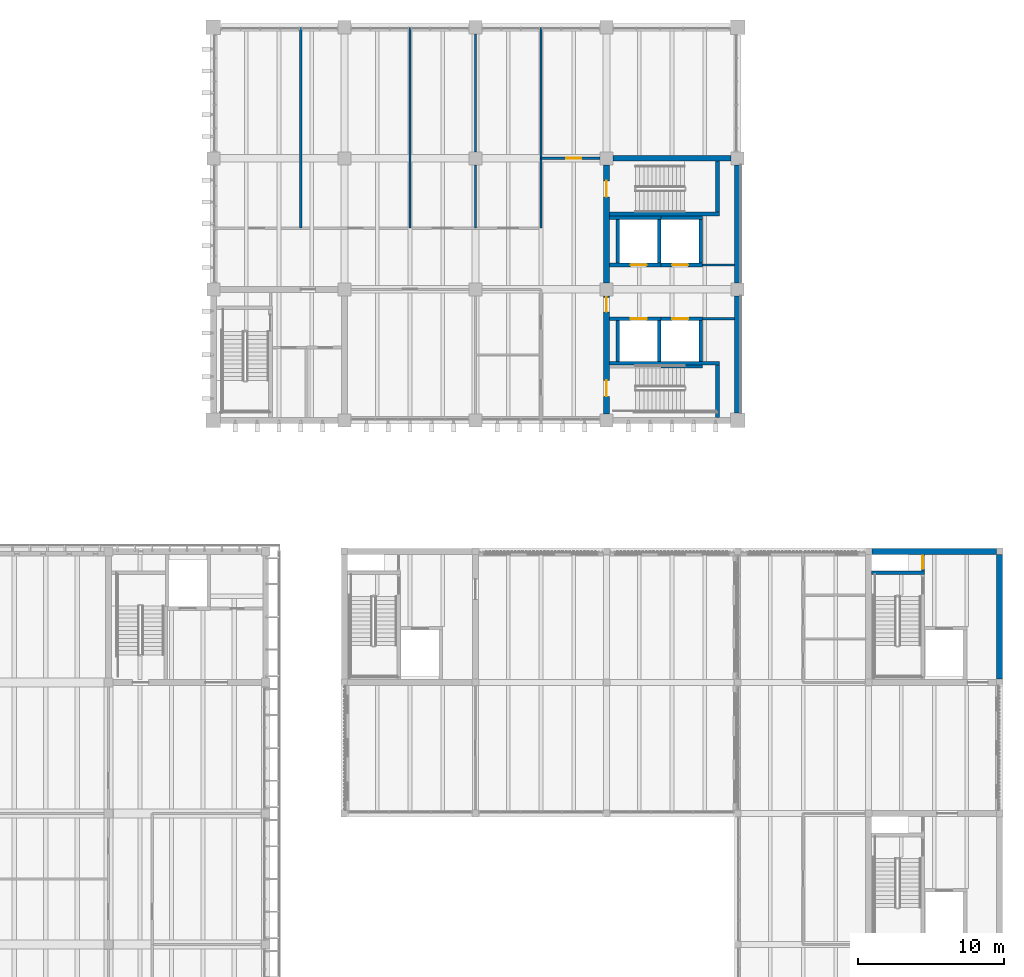
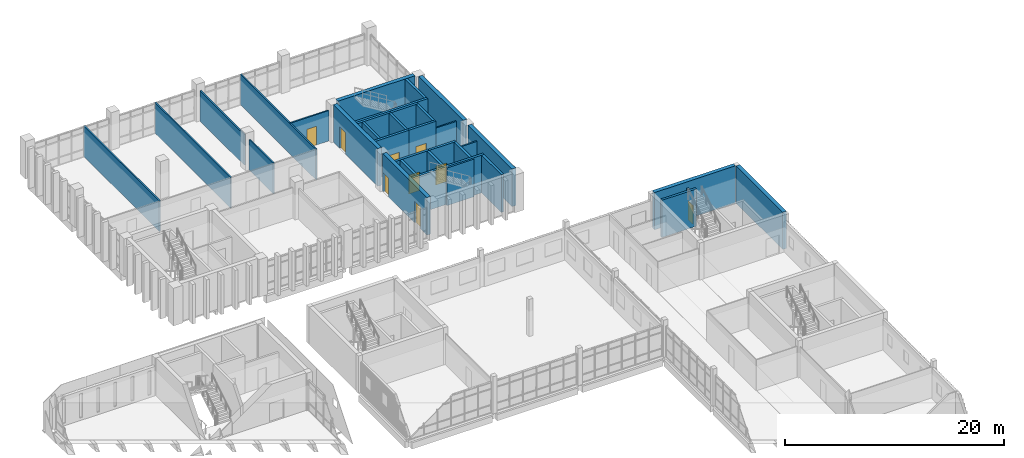
# One storey, part 59 of 88: 34 walls, 9 doors, 9 openings.
"""IFC4 building model written with IfcOpenShell, lengths in metres."""

from ifc_helpers import new_model, si_unit, direction, frame, frame_2d, origin, place, context, subcontext, project, spatial, rectangle, extrude, material, layer, layer_set, type_object, element, fill, save


model = new_model("IFC4")

# Units and contexts
model_context = context("Model", 3, precision=1e-05, world=origin(), true_north=direction((0.0, 1.0)))
body_context = subcontext(model_context, "Body", "Model", "MODEL_VIEW")
ifc_project = project(units=[si_unit("LENGTHUNIT", "METRE"), si_unit("AREAUNIT", "SQUARE_METRE"), si_unit("VOLUMEUNIT", "CUBIC_METRE"), si_unit("PLANEANGLEUNIT", "RADIAN"), si_unit("MASSUNIT", "GRAM", prefix="KILO")], contexts=[model_context])

# Site, building, storey
site_placement = place(None, origin())
site = spatial("IfcSite", under=ifc_project, at=site_placement, CompositionType="ELEMENT")
building_placement = place(site_placement, origin())
building = spatial("IfcBuilding", under=site, at=building_placement, Name="Merrow Basin Faculty of Sciences", CompositionType="ELEMENT")
storey_placement = place(building_placement, frame((0.0, 0.0, 9.0)))
storey = spatial("IfcBuildingStorey", under=building, at=storey_placement, Name="L02", CompositionType="ELEMENT", Elevation=9.0)

# Walls
ifc_material_1 = material(Name="Fire-rated gypsum board")
ifc_layer_1 = layer(ifc_material_1, 0.14990234375)
ifc_layer_set_1 = layer_set([ifc_layer_1], Name="Corridor partition 150 fire-rated board on steel studs")
wall_type_1 = type_object("IfcWallType", Name="Corridor partition 150 fire-rated board on steel studs", PredefinedType="PARTITIONING", material=ifc_layer_set_1)
for number, where, z_axis, x_axis, name in (
    (1, (51.60009765625, 148.97509765625, 0.0), (0.0, 0.0, 1.0), (1.0, 0.0, 0.0), "IW151 L02 006"),
    (2, (51.60009765625, 152.675048828125, 0.0), (0.0, 0.0, 1.0), (1.0, 0.0, 0.0), "IW151 L02 008"),
):
    element("IfcWall", number, at=place(storey_placement, frame(where, z_axis=z_axis, x_axis=x_axis)), inside=storey, type_object=wall_type_1, Name=name, PredefinedType="PARTITIONING", context=body_context, shape_type="SweptSolid", body=[
        extrude(rectangle(XDim=2.199951171875, YDim=0.14990234375, at=frame_2d((1.10009765625, 0.0))), origin(), (0.0, 0.0, 1.0), 3.39990234375),
    ])

# Wall, opening, door
wall_1_placement = place(storey_placement, frame((40.5, 160.0, 0.0), z_axis=(0.0, 0.0, 1.0), x_axis=(1.0, 0.0, 0.0)))
wall_1 = element("IfcWall", 3, at=wall_1_placement, inside=storey, type_object=wall_type_1, Name="IW151 L02 009", PredefinedType="PARTITIONING", context=body_context, shape_type="SweptSolid", body=[
    extrude(rectangle(XDim=4.050048828125, YDim=0.14990234375, at=frame_2d((2.02490234375, 0.0))), origin(), (0.0, 0.0, 1.0), 3.39990234375),
])
opening_1_placement = place(wall_1_placement, frame((1.75, 0.0, 0.0)))
opening_1 = element("IfcOpeningElement", 4, at=opening_1_placement, cuts=wall_1, Name="Opening D02T015", PredefinedType="OPENING", context=body_context, shape_type="SweptSolid", body=[
    extrude(rectangle(XDim=1.0, YDim=2.10009765625, at=frame_2d((0.5, 1.050048828125))), frame((0.0, 0.0849609375, 0.0), z_axis=(0.0, -1.0, 0.0), x_axis=(1.0, 0.0, 0.0)), (0.0, 0.0, 1.0), 0.169921875),
])
ifc_material_2 = material(Name="Timber door leaf", Category="wood")
door_type_1 = type_object("IfcDoorType", Name="Single swing door 1000 x 2100", OperationType="NOTDEFINED", PredefinedType="DOOR", material=ifc_material_2)
door_1_placement = place(opening_1_placement, origin())
door_1 = element("IfcDoor", 5, at=door_1_placement, inside=storey, type_object=door_type_1, Name="Door D02T015", OperationType="SINGLE_SWING_LEFT", OverallHeight=2.10009765625, OverallWidth=1.0, PredefinedType="DOOR", context=body_context, shape_type="SweptSolid", body=[
    extrude(rectangle(XDim=1.0, YDim=2.10009765625, at=frame_2d((0.5, 1.050048828125))), frame((0.0, 0.02490234375, 0.0), z_axis=(0.0, -1.0, 0.0), x_axis=(1.0, 0.0, 0.0)), (0.0, 0.0, 1.0), 0.050048828125),
])
fill(opening_1, door_1)

# Walls
ifc_material_3 = material(Name="Fire-rated gypsum board")
ifc_layer_2 = layer(ifc_material_3, 0.14990234375)
ifc_layer_set_2 = layer_set([ifc_layer_2], Name="Laboratory partition 150 fire-rated board on steel studs")
wall_type_2 = type_object("IfcWallType", Name="Laboratory partition 150 fire-rated board on steel studs", PredefinedType="PARTITIONING", material=ifc_layer_set_2)
for number, where, z_axis, x_axis, name in (
    (6, (24.0, 155.199951171875, 0.0), (0.0, 0.0, 1.0), (0.0, 1.0, 0.0), "IW150 L02 010"),
    (7, (31.5, 155.199951171875, 0.0), (0.0, 0.0, 1.0), (0.0, 1.0, 0.0), "IW150 L02 011"),
):
    element("IfcWall", number, at=place(storey_placement, frame(where, z_axis=z_axis, x_axis=x_axis)), inside=storey, type_object=wall_type_2, Name=name, PredefinedType="PARTITIONING", context=body_context, shape_type="SweptSolid", body=[
        extrude(rectangle(XDim=13.800048828125, YDim=0.14990234375, at=frame_2d((6.89990234375, 0.0))), origin(), (0.0, 0.0, 1.0), 3.39990234375),
    ])
wall_2_placement = place(storey_placement, frame((36.0, 160.449951171875, 0.0), z_axis=(0.0, 0.0, 1.0), x_axis=(0.0, 1.0, 0.0)))
element("IfcWall", 8, at=wall_2_placement, inside=storey, type_object=wall_type_2, Name="IW150 L02 013", PredefinedType="PARTITIONING", context=body_context, shape_type="SweptSolid", body=[
    extrude(rectangle(XDim=8.10009765625, YDim=0.14990234375, at=frame_2d((4.050048828125, 0.0))), origin(), (0.0, 0.0, 1.0), 3.39990234375),
])
wall_3_placement = place(storey_placement, frame((36.0, 155.199951171875, 0.0), z_axis=(0.0, 0.0, 1.0), x_axis=(0.0, 1.0, 0.0)))
element("IfcWall", 9, at=wall_3_placement, inside=storey, type_object=wall_type_2, Name="IW150 L02 014", PredefinedType="PARTITIONING", context=body_context, shape_type="SweptSolid", body=[
    extrude(rectangle(XDim=4.35009765625, YDim=0.14990234375, at=frame_2d((2.175048828125, 0.0))), origin(), (0.0, 0.0, 1.0), 3.39990234375),
])
wall_4_placement = place(storey_placement, frame((40.5, 155.199951171875, 0.0), z_axis=(0.0, 0.0, 1.0), x_axis=(0.0, 1.0, 0.0)))
element("IfcWall", 10, at=wall_4_placement, inside=storey, type_object=wall_type_2, Name="IW150 L02 015", PredefinedType="PARTITIONING", context=body_context, shape_type="SweptSolid", body=[
    extrude(rectangle(XDim=13.800048828125, YDim=0.14990234375, at=frame_2d((6.89990234375, 0.0))), origin(), (0.0, 0.0, 1.0), 3.39990234375),
])

# Wall, opening, door
ifc_material_4 = material(Name="Fire-rated gypsum board")
ifc_layer_3 = layer(ifc_material_4, 0.199951171875)
ifc_layer_set_3 = layer_set([ifc_layer_3], Name="Riser lining 200 fire-rated board on steel studs")
wall_type_3 = type_object("IfcWallType", Name="Riser lining 200 fire-rated board on steel studs", PredefinedType="PARTITIONING", material=ifc_layer_set_3)
wall_5_placement = place(storey_placement, frame((66.72509765625, 131.64990234375, 0.0), z_axis=(0.0, 0.0, 1.0), x_axis=(0.0, 1.0, 0.0)))
wall_5 = element("IfcWall", 11, at=wall_5_placement, inside=storey, type_object=wall_type_3, Name="IW200 L02 004", PredefinedType="PARTITIONING", context=body_context, shape_type="SweptSolid", body=[
    extrude(rectangle(XDim=1.150146484375, YDim=0.199951171875, at=frame_2d((0.5751953125, 0.0))), origin(), (0.0, 0.0, 1.0), 3.449951171875),
])
opening_2_placement = place(wall_5_placement, frame((0.14990234375, 0.0, 0.0)))
opening_2 = element("IfcOpeningElement", 12, at=opening_2_placement, cuts=wall_5, Name="Opening D02C009", PredefinedType="OPENING", context=body_context, shape_type="SweptSolid", body=[
    extrude(rectangle(XDim=0.89990234375, YDim=2.10009765625, at=frame_2d((0.449951171875, 1.050048828125))), frame((0.0, 0.10986328125, 0.0), z_axis=(0.0, -1.0, 0.0), x_axis=(1.0, 0.0, 0.0)), (0.0, 0.0, 1.0), 0.219970703125),
])
ifc_material_5 = material(Name="Fire-rated steel door", Category="steel")
door_type_2 = type_object("IfcDoorType", Name="Fire door FD60 900 x 2100", OperationType="NOTDEFINED", PredefinedType="DOOR", material=ifc_material_5)
door_2_placement = place(opening_2_placement, origin())
door_2 = element("IfcDoor", 13, at=door_2_placement, inside=storey, type_object=door_type_2, Name="Door D02C009", OperationType="SINGLE_SWING_LEFT", OverallHeight=2.10009765625, OverallWidth=0.89990234375, PredefinedType="DOOR", context=body_context, shape_type="SweptSolid", body=[
    extrude(rectangle(XDim=0.89990234375, YDim=2.10009765625, at=frame_2d((0.449951171875, 1.050048828125))), frame((0.0, 0.02490234375, 0.0), z_axis=(0.0, -1.0, 0.0), x_axis=(1.0, 0.0, 0.0)), (0.0, 0.0, 1.0), 0.050048828125),
])
fill(opening_2, door_2)

# Walls
ifc_material_6 = material(Name="Concrete C50/60", Category="concrete")
ifc_layer_4 = layer(ifc_material_6, 0.199951171875)
ifc_layer_set_4 = layer_set([ifc_layer_4], Name="Shear wall 200 Concrete C50/60")
wall_type_4 = type_object("IfcWallType", Name="Shear wall 200 Concrete C50/60", PredefinedType="SHEAR", material=ifc_layer_set_4)
wall_6_placement = place(storey_placement, frame((48.75, 145.699951171875, 0.0), z_axis=(0.0, 0.0, 1.0), x_axis=(1.0, 0.0, 0.0)))
element("IfcWall", 14, at=wall_6_placement, inside=storey, type_object=wall_type_4, Name="SW5 L02 022", PredefinedType="SHEAR", context=body_context, shape_type="SweptSolid", body=[
    extrude(rectangle(XDim=2.85009765625, YDim=0.199951171875, at=frame_2d((1.425048828125, 0.0))), origin(), (0.0, 0.0, 1.0), 4.199951171875),
])
ifc_material_7 = material(Name="Concrete C40/50", Category="concrete")
ifc_layer_5 = layer(ifc_material_7, 0.25)
ifc_layer_set_5 = layer_set([ifc_layer_5], Name="Shear wall 250 Concrete C40/50")
wall_type_5 = type_object("IfcWallType", Name="Shear wall 250 Concrete C40/50", PredefinedType="SHEAR", material=ifc_layer_set_5)
wall_7_placement = place(storey_placement, frame((63.199951171875, 131.52490234375, 0.0), z_axis=(0.0, 0.0, 1.0), x_axis=(1.0, 0.0, 0.0)))
element("IfcWall", 15, at=wall_7_placement, inside=storey, type_object=wall_type_5, Name="SW2 L02 029", PredefinedType="SHEAR", context=body_context, shape_type="SweptSolid", body=[
    extrude(rectangle(XDim=3.650146484375, YDim=0.25, at=frame_2d((1.8251953125, 0.0))), origin(), (0.0, 0.0, 1.0), 4.14990234375),
])
ifc_material_8 = material(Name="Concrete C50/60", Category="concrete")
ifc_layer_6 = layer(ifc_material_8, 0.25)
ifc_layer_set_6 = layer_set([ifc_layer_6], Name="Shear wall 250 Concrete C50/60")
wall_type_6 = type_object("IfcWallType", Name="Shear wall 250 Concrete C50/60", PredefinedType="SHEAR", material=ifc_layer_set_6)
wall_8_placement = place(storey_placement, frame((45.199951171875, 156.175048828125, 0.0), z_axis=(0.0, 0.0, 1.0), x_axis=(1.0, 0.0, 0.0)))
element("IfcWall", 16, at=wall_8_placement, inside=storey, type_object=wall_type_6, Name="SW4 L02 007", PredefinedType="SHEAR", context=body_context, shape_type="SweptSolid", body=[
    extrude(rectangle(XDim=7.550048828125, YDim=0.25, at=frame_2d((3.77490234375, 0.0))), origin(), (0.0, 0.0, 1.0), 4.199951171875),
])
wall_9_placement = place(storey_placement, frame((52.625, 156.300048828125, 0.0), z_axis=(0.0, 0.0, 1.0), x_axis=(0.0, 1.0, 0.0)))
element("IfcWall", 17, at=wall_9_placement, inside=storey, type_object=wall_type_6, Name="SW4 L02 008", PredefinedType="SHEAR", context=body_context, shape_type="SweptSolid", body=[
    extrude(rectangle(XDim=3.5, YDim=0.25, at=frame_2d((1.75, 0.0))), origin(), (0.0, 0.0, 1.0), 4.199951171875),
])
wall_10_placement = place(storey_placement, frame((45.199951171875, 145.925048828125, 0.0), z_axis=(0.0, 0.0, 1.0), x_axis=(1.0, 0.0, 0.0)))
element("IfcWall", 18, at=wall_10_placement, inside=storey, type_object=wall_type_6, Name="SW4 L02 009", PredefinedType="SHEAR", context=body_context, shape_type="SweptSolid", body=[
    extrude(rectangle(XDim=7.550048828125, YDim=0.25, at=frame_2d((3.77490234375, 0.0))), origin(), (0.0, 0.0, 1.0), 4.199951171875),
])
wall_11_placement = place(storey_placement, frame((52.625, 142.199951171875, 0.0), z_axis=(0.0, 0.0, 1.0), x_axis=(0.0, 1.0, 0.0)))
element("IfcWall", 19, at=wall_11_placement, inside=storey, type_object=wall_type_6, Name="SW4 L02 010", PredefinedType="SHEAR", context=body_context, shape_type="SweptSolid", body=[
    extrude(rectangle(XDim=3.60009765625, YDim=0.25, at=frame_2d((1.800048828125, 0.0))), origin(), (0.0, 0.0, 1.0), 4.199951171875),
])

# Wall, opening, door
wall_12_placement = place(storey_placement, frame((45.199951171875, 152.675048828125, 0.0), z_axis=(0.0, 0.0, 1.0), x_axis=(1.0, 0.0, 0.0)))
wall_12 = element("IfcWall", 20, at=wall_12_placement, inside=storey, type_object=wall_type_6, Name="SW4 L02 011", PredefinedType="SHEAR", context=body_context, shape_type="SweptSolid", body=[
    extrude(rectangle(XDim=3.550048828125, YDim=0.25, at=frame_2d((1.77490234375, 0.0))), origin(), (0.0, 0.0, 1.0), 4.199951171875),
])
opening_3_placement = place(wall_12_placement, frame((1.449951171875, 0.0, 0.0)))
opening_3 = element("IfcOpeningElement", 21, at=opening_3_placement, cuts=wall_12, Name="Opening LD02T01", PredefinedType="OPENING", context=body_context, shape_type="SweptSolid", body=[
    extrude(rectangle(XDim=1.10009765625, YDim=2.10009765625, at=frame_2d((0.550048828125, 1.050048828125))), frame((0.0, 0.135009765625, 0.0), z_axis=(0.0, -1.0, 0.0), x_axis=(1.0, 0.0, 0.0)), (0.0, 0.0, 1.0), 0.27001953125),
])
ifc_material_9 = material(Name="Stainless steel sliding door", Category="steel")
door_type_3 = type_object("IfcDoorType", Name="Lift landing door 1100 x 2100 sliding", OperationType="NOTDEFINED", PredefinedType="DOOR", material=ifc_material_9)
door_3_placement = place(opening_3_placement, origin())
door_3 = element("IfcDoor", 22, at=door_3_placement, inside=storey, type_object=door_type_3, Name="Landing door LF11 L02", OperationType="SLIDING_TO_LEFT", OverallHeight=2.10009765625, OverallWidth=1.10009765625, PredefinedType="DOOR", context=body_context, shape_type="SweptSolid", body=[
    extrude(rectangle(XDim=1.10009765625, YDim=2.10009765625, at=frame_2d((0.550048828125, 1.050048828125))), frame((0.0, 0.02490234375, 0.0), z_axis=(0.0, -1.0, 0.0), x_axis=(1.0, 0.0, 0.0)), (0.0, 0.0, 1.0), 0.050048828125),
])
fill(opening_3, door_3)

# Walls
wall_13_placement = place(storey_placement, frame((45.199951171875, 155.925048828125, 0.0), z_axis=(0.0, 0.0, 1.0), x_axis=(1.0, 0.0, 0.0)))
element("IfcWall", 23, at=wall_13_placement, inside=storey, type_object=wall_type_6, Name="SW4 L02 012", PredefinedType="SHEAR", context=body_context, shape_type="SweptSolid", body=[
    extrude(rectangle(XDim=3.550048828125, YDim=0.25, at=frame_2d((1.77490234375, 0.0))), origin(), (0.0, 0.0, 1.0), 4.199951171875),
])
for number, where, z_axis, x_axis, name in (
    (24, (45.77490234375, 152.800048828125, 0.0), (0.0, 0.0, 1.0), (0.0, 1.0, 0.0), "SW4 L02 013"),
    (25, (48.625, 152.800048828125, 0.0), (0.0, 0.0, 1.0), (0.0, 1.0, 0.0), "SW4 L02 014"),
):
    element("IfcWall", number, at=place(storey_placement, frame(where, z_axis=z_axis, x_axis=x_axis)), inside=storey, type_object=wall_type_6, Name=name, PredefinedType="SHEAR", context=body_context, shape_type="SweptSolid", body=[
        extrude(rectangle(XDim=3.0, YDim=0.25, at=frame_2d((1.5, 0.0))), origin(), (0.0, 0.0, 1.0), 4.199951171875),
    ])

# Wall, opening, door
wall_14_placement = place(storey_placement, frame((48.75, 152.675048828125, 0.0), z_axis=(0.0, 0.0, 1.0), x_axis=(1.0, 0.0, 0.0)))
wall_14 = element("IfcWall", 26, at=wall_14_placement, inside=storey, type_object=wall_type_6, Name="SW4 L02 015", PredefinedType="SHEAR", context=body_context, shape_type="SweptSolid", body=[
    extrude(rectangle(XDim=2.85009765625, YDim=0.25, at=frame_2d((1.425048828125, 0.0))), origin(), (0.0, 0.0, 1.0), 4.199951171875),
])
opening_4_placement = place(wall_14_placement, frame((0.75, 0.0, 0.0)))
opening_4 = element("IfcOpeningElement", 27, at=opening_4_placement, cuts=wall_14, Name="Opening LD02T02", PredefinedType="OPENING", context=body_context, shape_type="SweptSolid", body=[
    extrude(rectangle(XDim=1.10009765625, YDim=2.10009765625, at=frame_2d((0.550048828125, 1.050048828125))), frame((0.0, 0.135009765625, 0.0), z_axis=(0.0, -1.0, 0.0), x_axis=(1.0, 0.0, 0.0)), (0.0, 0.0, 1.0), 0.27001953125),
])
door_4_placement = place(opening_4_placement, origin())
door_4 = element("IfcDoor", 28, at=door_4_placement, inside=storey, type_object=door_type_3, Name="Landing door LF12 L02", OperationType="SLIDING_TO_LEFT", OverallHeight=2.10009765625, OverallWidth=1.10009765625, PredefinedType="DOOR", context=body_context, shape_type="SweptSolid", body=[
    extrude(rectangle(XDim=1.10009765625, YDim=2.10009765625, at=frame_2d((0.550048828125, 1.050048828125))), frame((0.0, 0.02490234375, 0.0), z_axis=(0.0, -1.0, 0.0), x_axis=(1.0, 0.0, 0.0)), (0.0, 0.0, 1.0), 0.050048828125),
])
fill(opening_4, door_4)

# Walls
wall_15_placement = place(storey_placement, frame((48.75, 155.925048828125, 0.0), z_axis=(0.0, 0.0, 1.0), x_axis=(1.0, 0.0, 0.0)))
element("IfcWall", 29, at=wall_15_placement, inside=storey, type_object=wall_type_6, Name="SW4 L02 016", PredefinedType="SHEAR", context=body_context, shape_type="SweptSolid", body=[
    extrude(rectangle(XDim=2.85009765625, YDim=0.25, at=frame_2d((1.425048828125, 0.0))), origin(), (0.0, 0.0, 1.0), 4.199951171875),
])
wall_16_placement = place(storey_placement, frame((51.47509765625, 152.800048828125, 0.0), z_axis=(0.0, 0.0, 1.0), x_axis=(0.0, 1.0, 0.0)))
element("IfcWall", 30, at=wall_16_placement, inside=storey, type_object=wall_type_6, Name="SW4 L02 017", PredefinedType="SHEAR", context=body_context, shape_type="SweptSolid", body=[
    extrude(rectangle(XDim=3.0, YDim=0.25, at=frame_2d((1.5, 0.0))), origin(), (0.0, 0.0, 1.0), 4.199951171875),
])

# Wall, opening, door
wall_17_placement = place(storey_placement, frame((45.199951171875, 148.97509765625, 0.0), z_axis=(0.0, 0.0, 1.0), x_axis=(1.0, 0.0, 0.0)))
wall_17 = element("IfcWall", 31, at=wall_17_placement, inside=storey, type_object=wall_type_6, Name="SW4 L02 019", PredefinedType="SHEAR", context=body_context, shape_type="SweptSolid", body=[
    extrude(rectangle(XDim=3.550048828125, YDim=0.25, at=frame_2d((1.77490234375, 0.0))), origin(), (0.0, 0.0, 1.0), 4.199951171875),
])
opening_5_placement = place(wall_17_placement, frame((1.449951171875, 0.0, 0.0)))
opening_5 = element("IfcOpeningElement", 32, at=opening_5_placement, cuts=wall_17, Name="Opening LD02T03", PredefinedType="OPENING", context=body_context, shape_type="SweptSolid", body=[
    extrude(rectangle(XDim=1.10009765625, YDim=2.10009765625, at=frame_2d((0.550048828125, 1.050048828125))), frame((0.0, 0.135009765625, 0.0), z_axis=(0.0, -1.0, 0.0), x_axis=(1.0, 0.0, 0.0)), (0.0, 0.0, 1.0), 0.27001953125),
])
door_5_placement = place(opening_5_placement, origin())
door_5 = element("IfcDoor", 33, at=door_5_placement, inside=storey, type_object=door_type_3, Name="Landing door LF13 L02", OperationType="SLIDING_TO_LEFT", OverallHeight=2.10009765625, OverallWidth=1.10009765625, PredefinedType="DOOR", context=body_context, shape_type="SweptSolid", body=[
    extrude(rectangle(XDim=1.10009765625, YDim=2.10009765625, at=frame_2d((0.550048828125, 1.050048828125))), frame((0.0, 0.02490234375, 0.0), z_axis=(0.0, -1.0, 0.0), x_axis=(1.0, 0.0, 0.0)), (0.0, 0.0, 1.0), 0.050048828125),
])
fill(opening_5, door_5)

# Walls
for number, where, z_axis, x_axis, name in (
    (34, (45.77490234375, 146.050048828125, 0.0), (0.0, 0.0, 1.0), (0.0, 1.0, 0.0), "SW4 L02 020"),
    (35, (48.625, 146.050048828125, 0.0), (0.0, 0.0, 1.0), (0.0, 1.0, 0.0), "SW4 L02 021"),
):
    element("IfcWall", number, at=place(storey_placement, frame(where, z_axis=z_axis, x_axis=x_axis)), inside=storey, type_object=wall_type_6, Name=name, PredefinedType="SHEAR", context=body_context, shape_type="SweptSolid", body=[
        extrude(rectangle(XDim=2.800048828125, YDim=0.25, at=frame_2d((1.39990234375, 0.0))), origin(), (0.0, 0.0, 1.0), 4.199951171875),
    ])

# Wall, opening, door
wall_18_placement = place(storey_placement, frame((48.75, 148.97509765625, 0.0), z_axis=(0.0, 0.0, 1.0), x_axis=(1.0, 0.0, 0.0)))
wall_18 = element("IfcWall", 36, at=wall_18_placement, inside=storey, type_object=wall_type_6, Name="SW4 L02 023", PredefinedType="SHEAR", context=body_context, shape_type="SweptSolid", body=[
    extrude(rectangle(XDim=2.85009765625, YDim=0.25, at=frame_2d((1.425048828125, 0.0))), origin(), (0.0, 0.0, 1.0), 4.199951171875),
])
opening_6_placement = place(wall_18_placement, frame((0.75, 0.0, 0.0)))
opening_6 = element("IfcOpeningElement", 37, at=opening_6_placement, cuts=wall_18, Name="Opening LD02T04", PredefinedType="OPENING", context=body_context, shape_type="SweptSolid", body=[
    extrude(rectangle(XDim=1.10009765625, YDim=2.10009765625, at=frame_2d((0.550048828125, 1.050048828125))), frame((0.0, 0.135009765625, 0.0), z_axis=(0.0, -1.0, 0.0), x_axis=(1.0, 0.0, 0.0)), (0.0, 0.0, 1.0), 0.27001953125),
])
door_6_placement = place(opening_6_placement, origin())
door_6 = element("IfcDoor", 38, at=door_6_placement, inside=storey, type_object=door_type_3, Name="Landing door LF14 L02", OperationType="SLIDING_TO_LEFT", OverallHeight=2.10009765625, OverallWidth=1.10009765625, PredefinedType="DOOR", context=body_context, shape_type="SweptSolid", body=[
    extrude(rectangle(XDim=1.10009765625, YDim=2.10009765625, at=frame_2d((0.550048828125, 1.050048828125))), frame((0.0, 0.02490234375, 0.0), z_axis=(0.0, -1.0, 0.0), x_axis=(1.0, 0.0, 0.0)), (0.0, 0.0, 1.0), 0.050048828125),
])
fill(opening_6, door_6)

# Walls
wall_19_placement = place(storey_placement, frame((51.47509765625, 146.050048828125, 0.0), z_axis=(0.0, 0.0, 1.0), x_axis=(0.0, 1.0, 0.0)))
element("IfcWall", 39, at=wall_19_placement, inside=storey, type_object=wall_type_6, Name="SW4 L02 024", PredefinedType="SHEAR", context=body_context, shape_type="SweptSolid", body=[
    extrude(rectangle(XDim=2.800048828125, YDim=0.25, at=frame_2d((1.39990234375, 0.0))), origin(), (0.0, 0.0, 1.0), 4.199951171875),
])
ifc_material_10 = material(Name="Concrete C40/50", Category="concrete")
ifc_layer_7 = layer(ifc_material_10, 0.39990234375)
ifc_layer_set_7 = layer_set([ifc_layer_7], Name="Shear wall 400 Concrete C40/50")
wall_type_7 = type_object("IfcWallType", Name="Shear wall 400 Concrete C40/50", PredefinedType="SHEAR", material=ifc_layer_set_7)
for number, where, z_axis, x_axis, name in (
    (40, (63.22509765625, 133.0, 0.0), (0.0, 0.0, 1.0), (1.0, 0.0, 0.0), "SW1 L02 026"),
    (41, (72.0, 124.22509765625, 0.0), (0.0, 0.0, 1.0), (0.0, 1.0, 0.0), "SW1 L02 028"),
):
    element("IfcWall", number, at=place(storey_placement, frame(where, z_axis=z_axis, x_axis=x_axis)), inside=storey, type_object=wall_type_7, Name=name, PredefinedType="SHEAR", context=body_context, shape_type="SweptSolid", body=[
        extrude(rectangle(XDim=8.5498046875, YDim=0.39990234375, at=frame_2d((4.27490234375, 0.0))), origin(), (0.0, 0.0, 1.0), 4.14990234375),
    ])
ifc_material_11 = material(Name="Concrete C50/60", Category="concrete")
ifc_layer_8 = layer(ifc_material_11, 0.39990234375)
ifc_layer_set_8 = layer_set([ifc_layer_8], Name="Shear wall 400 Concrete C50/60")
wall_type_8 = type_object("IfcWallType", Name="Shear wall 400 Concrete C50/60", PredefinedType="SHEAR", material=ifc_layer_set_8)
wall_20_placement = place(storey_placement, frame((45.449951171875, 160.0, 0.0), z_axis=(0.0, 0.0, 1.0), x_axis=(1.0, 0.0, 0.0)))
element("IfcWall", 42, at=wall_20_placement, inside=storey, type_object=wall_type_8, Name="SW3 L02 002", PredefinedType="SHEAR", context=body_context, shape_type="SweptSolid", body=[
    extrude(rectangle(XDim=8.10009765625, YDim=0.39990234375, at=frame_2d((4.050048828125, 0.0))), origin(), (0.0, 0.0, 1.0), 4.199951171875),
])

# Wall, openings, doors
wall_21_placement = place(storey_placement, frame((45.0, 142.449951171875, 0.0), z_axis=(0.0, 0.0, 1.0), x_axis=(0.0, 1.0, 0.0)))
wall_21 = element("IfcWall", 43, at=wall_21_placement, inside=storey, type_object=wall_type_8, Name="SW3 L02 003", PredefinedType="SHEAR", context=body_context, shape_type="SweptSolid", body=[
    extrude(rectangle(XDim=8.10009765625, YDim=0.39990234375, at=frame_2d((4.050048828125, 0.0))), origin(), (0.0, 0.0, 1.0), 4.199951171875),
])
opening_7_placement = place(wall_21_placement, frame((1.199951171875, 0.0, 0.0)))
opening_7 = element("IfcOpeningElement", 44, at=opening_7_placement, cuts=wall_21, Name="Opening D02T001", PredefinedType="OPENING", context=body_context, shape_type="SweptSolid", body=[
    extrude(rectangle(XDim=1.10009765625, YDim=2.39990234375, at=frame_2d((0.550048828125, 1.199951171875))), frame((0.0, 0.2099609375, 0.0), z_axis=(0.0, -1.0, 0.0), x_axis=(1.0, 0.0, 0.0)), (0.0, 0.0, 1.0), 0.419921875),
])
opening_8_placement = place(wall_21_placement, frame((7.0, 0.0, 0.0)))
opening_8 = element("IfcOpeningElement", 45, at=opening_8_placement, cuts=wall_21, Name="Opening D02T003", PredefinedType="OPENING", context=body_context, shape_type="SweptSolid", body=[
    extrude(rectangle(XDim=1.0, YDim=2.10009765625, at=frame_2d((0.5, 1.050048828125))), frame((0.0, 0.2099609375, 0.0), z_axis=(0.0, -1.0, 0.0), x_axis=(1.0, 0.0, 0.0)), (0.0, 0.0, 1.0), 0.419921875),
])
ifc_material_12 = material(Name="Fire-rated steel door", Category="steel")
door_type_4 = type_object("IfcDoorType", Name="Fire door FD90 1100 x 2400", OperationType="NOTDEFINED", PredefinedType="DOOR", material=ifc_material_12)
door_7_placement = place(opening_7_placement, origin())
door_7 = element("IfcDoor", 46, at=door_7_placement, inside=storey, type_object=door_type_4, Name="Door D02T001", OperationType="SINGLE_SWING_LEFT", OverallHeight=2.39990234375, OverallWidth=1.10009765625, PredefinedType="DOOR", context=body_context, shape_type="SweptSolid", body=[
    extrude(rectangle(XDim=1.10009765625, YDim=2.39990234375, at=frame_2d((0.550048828125, 1.199951171875))), frame((0.0, 0.02490234375, 0.0), z_axis=(0.0, -1.0, 0.0), x_axis=(1.0, 0.0, 0.0)), (0.0, 0.0, 1.0), 0.050048828125),
])
fill(opening_7, door_7)
door_8_placement = place(opening_8_placement, origin())
door_8 = element("IfcDoor", 47, at=door_8_placement, inside=storey, type_object=door_type_1, Name="Door D02T003", OperationType="SINGLE_SWING_LEFT", OverallHeight=2.10009765625, OverallWidth=1.0, PredefinedType="DOOR", context=body_context, shape_type="SweptSolid", body=[
    extrude(rectangle(XDim=1.0, YDim=2.10009765625, at=frame_2d((0.5, 1.050048828125))), frame((0.0, 0.02490234375, 0.0), z_axis=(0.0, -1.0, 0.0), x_axis=(1.0, 0.0, 0.0)), (0.0, 0.0, 1.0), 0.050048828125),
])
fill(opening_8, door_8)

# Wall, opening, door
wall_22_placement = place(storey_placement, frame((45.0, 151.449951171875, 0.0), z_axis=(0.0, 0.0, 1.0), x_axis=(0.0, 1.0, 0.0)))
wall_22 = element("IfcWall", 48, at=wall_22_placement, inside=storey, type_object=wall_type_8, Name="SW3 L02 004", PredefinedType="SHEAR", context=body_context, shape_type="SweptSolid", body=[
    extrude(rectangle(XDim=8.10009765625, YDim=0.39990234375, at=frame_2d((4.050048828125, 0.0))), origin(), (0.0, 0.0, 1.0), 4.199951171875),
])
opening_9_placement = place(wall_22_placement, frame((5.89990234375, 0.0, 0.0)))
opening_9 = element("IfcOpeningElement", 49, at=opening_9_placement, cuts=wall_22, Name="Opening D02T002", PredefinedType="OPENING", context=body_context, shape_type="SweptSolid", body=[
    extrude(rectangle(XDim=1.10009765625, YDim=2.39990234375, at=frame_2d((0.550048828125, 1.199951171875))), frame((0.0, 0.2099609375, 0.0), z_axis=(0.0, -1.0, 0.0), x_axis=(1.0, 0.0, 0.0)), (0.0, 0.0, 1.0), 0.419921875),
])
door_9_placement = place(opening_9_placement, origin())
door_9 = element("IfcDoor", 50, at=door_9_placement, inside=storey, type_object=door_type_4, Name="Door D02T002", OperationType="SINGLE_SWING_RIGHT", OverallHeight=2.39990234375, OverallWidth=1.10009765625, PredefinedType="DOOR", context=body_context, shape_type="SweptSolid", body=[
    extrude(rectangle(XDim=1.10009765625, YDim=2.39990234375, at=frame_2d((0.550048828125, 1.199951171875))), frame((0.0, 0.02490234375, 0.0), z_axis=(0.0, -1.0, 0.0), x_axis=(1.0, 0.0, 0.0)), (0.0, 0.0, 1.0), 0.050048828125),
])
fill(opening_9, door_9)

# Walls
wall_23_placement = place(storey_placement, frame((54.0, 151.449951171875, 0.0), z_axis=(0.0, 0.0, 1.0), x_axis=(0.0, 1.0, 0.0)))
element("IfcWall", 51, at=wall_23_placement, inside=storey, type_object=wall_type_8, Name="SW3 L02 005", PredefinedType="SHEAR", context=body_context, shape_type="SweptSolid", body=[
    extrude(rectangle(XDim=8.10009765625, YDim=0.39990234375, at=frame_2d((4.050048828125, 0.0))), origin(), (0.0, 0.0, 1.0), 4.199951171875),
])
wall_24_placement = place(storey_placement, frame((54.0, 142.5, 0.0), z_axis=(0.0, 0.0, 1.0), x_axis=(0.0, 1.0, 0.0)))
element("IfcWall", 52, at=wall_24_placement, inside=storey, type_object=wall_type_8, Name="SW3 L02 006", PredefinedType="SHEAR", context=body_context, shape_type="SweptSolid", body=[
    extrude(rectangle(XDim=8.050048828125, YDim=0.39990234375, at=frame_2d((4.02490234375, 0.0))), origin(), (0.0, 0.0, 1.0), 4.199951171875),
])

save(model, "model.ifc")
